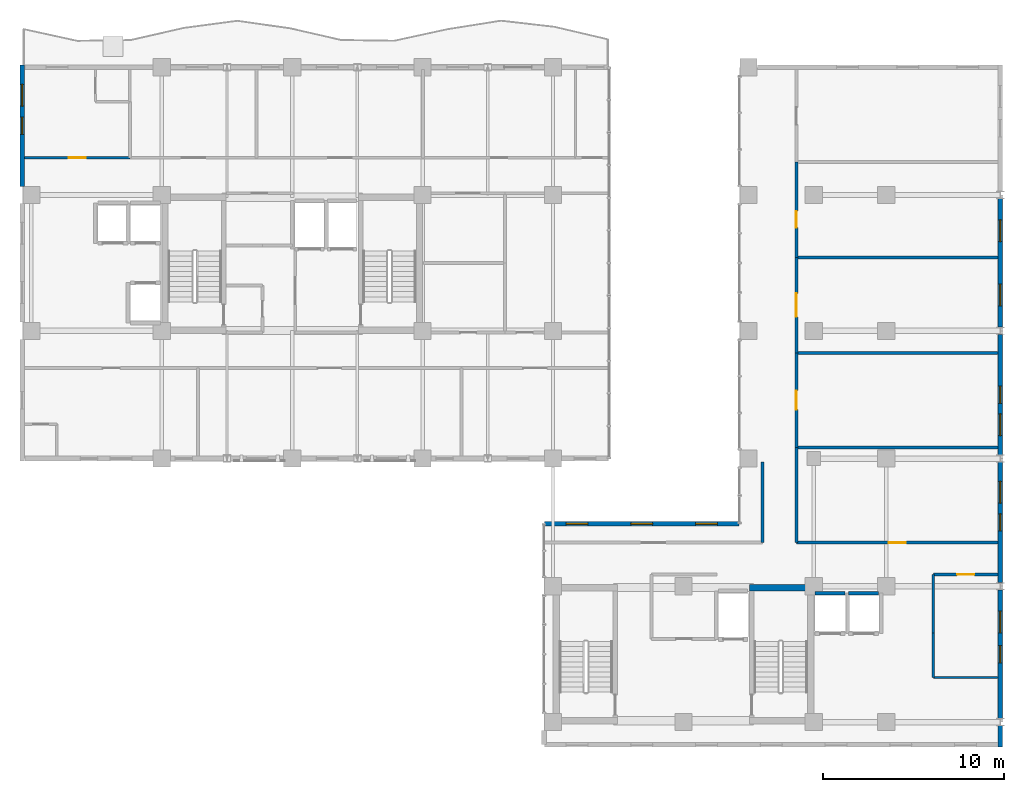
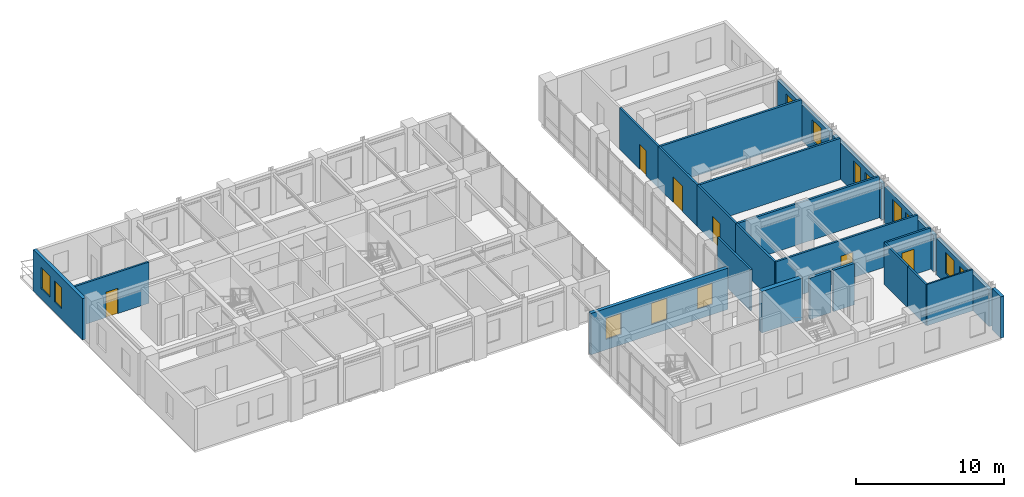
# One storey, part 19 of 24: 24 walls, 13 windows, 6 doors, 19 openings.
"""IFC4 building model written with IfcOpenShell, lengths in metres."""

from ifc_helpers import new_model, si_unit, direction, frame, frame_2d, origin, place, context, subcontext, project, spatial, rectangle, extrude, material, layer, layer_set, type_object, element, fill, save


model = new_model("IFC4")

# Units and contexts
model_context = context("Model", 3, precision=1e-05, world=origin(), true_north=direction((0.0, 1.0)))
body_context = subcontext(model_context, "Body", "Model", "MODEL_VIEW")
ifc_project = project(units=[si_unit("LENGTHUNIT", "METRE"), si_unit("AREAUNIT", "SQUARE_METRE"), si_unit("VOLUMEUNIT", "CUBIC_METRE"), si_unit("PLANEANGLEUNIT", "RADIAN"), si_unit("MASSUNIT", "GRAM", prefix="KILO")], contexts=[model_context])

# Site, building, storey
site_placement = place(None, origin())
site = spatial("IfcSite", under=ifc_project, at=site_placement, CompositionType="ELEMENT")
building_placement = place(site_placement, origin())
building = spatial("IfcBuilding", under=site, at=building_placement, Name="Kaliganga Portal Commons", CompositionType="ELEMENT")
storey_placement = place(building_placement, frame((0.0, 0.0, 235.10009765625)))
storey = spatial("IfcBuildingStorey", under=building, at=storey_placement, Name="L60", CompositionType="ELEMENT", Elevation=235.10009765625)

# Wall
ifc_material_1 = material(Name="Concrete C50/60", Category="concrete")
ifc_layer_1 = layer(ifc_material_1, 0.35009765625)
ifc_layer_set_1 = layer_set([ifc_layer_1], Name="Concrete C50/60")
wall_type_1 = type_object("IfcWallType", Name="WL-CORE-350", PredefinedType="SHEAR", material=ifc_layer_set_1)
wall_1_placement = place(storey_placement, frame((46.85009765625, 14.47509765625, 0.0), z_axis=(0.0, 0.0, 1.0), x_axis=(1.0, 0.0, 0.0)))
element("IfcWall", 1, at=wall_1_placement, inside=storey, type_object=wall_type_1, Name="Core B N-East Shear Wall L60", PredefinedType="SHEAR", context=body_context, shape_type="SweptSolid", body=[
    extrude(rectangle(XDim=3.199951171875, YDim=0.35009765625, at=frame_2d((1.60009765625, 0.0))), origin(), (0.0, 0.0, 1.0), 3.43994140625),
])

# Wall, openings, windows
ifc_material_2 = material(Name="Insulated Aluminium-Clad Spandrel Assembly", Category="aluminium")
ifc_layer_2 = layer(ifc_material_2, 0.260009765625)
ifc_layer_set_2 = layer_set([ifc_layer_2], Name="Insulated Aluminium-Clad Spandrel Assembly")
wall_type_2 = type_object("IfcWallType", Name="WL-EXT-SPAND-260", PredefinedType="STANDARD", material=ifc_layer_set_2)
wall_2_placement = place(storey_placement, frame((6.699951171875, 36.6259765625, 0.0), z_axis=(0.0, 0.0, 1.0), x_axis=(0.0, 1.0, 0.0)))
wall_2 = element("IfcWall", 2, at=wall_2_placement, inside=storey, type_object=wall_type_2, Name="Exterior Envelope Wall L60 P1-E03-S1", PredefinedType="STANDARD", context=body_context, shape_type="SweptSolid", body=[
    extrude(rectangle(XDim=6.7041015625, YDim=0.260009765625, at=frame_2d((3.35205078125, 0.0))), origin(), (0.0, 0.0, 1.0), 3.419921875),
])
opening_1_placement = place(wall_2_placement, frame((4.427978515625, 0.0, 0.85009765625)))
opening_1 = element("IfcOpeningElement", 3, at=opening_1_placement, cuts=wall_2, Name="Opening W-03", PredefinedType="OPENING", context=body_context, shape_type="SweptSolid", body=[
    extrude(rectangle(XDim=1.199951171875, YDim=1.75, at=frame_2d((0.60009765625, 0.875))), frame((0.0, 0.14013671875, 0.0), z_axis=(0.0, -1.0, 0.0), x_axis=(1.0, 0.0, 0.0)), (0.0, 0.0, 1.0), 0.280029296875),
])
opening_2_placement = place(wall_2_placement, frame((2.876953125, 0.0, 0.85009765625)))
opening_2 = element("IfcOpeningElement", 4, at=opening_2_placement, cuts=wall_2, Name="Opening W-04", PredefinedType="OPENING", context=body_context, shape_type="SweptSolid", body=[
    extrude(rectangle(XDim=0.949951171875, YDim=1.75, at=frame_2d((0.47509765625, 0.875))), frame((0.0, 0.14013671875, 0.0), z_axis=(0.0, -1.0, 0.0), x_axis=(1.0, 0.0, 0.0)), (0.0, 0.0, 1.0), 0.280029296875),
])
ifc_material_3 = material(Name="Thermally Broken Aluminium and Low-E Double Glazing", Category="aluminium")
window_type_1 = type_object("IfcWindowType", Name="WIN-NARROW-950", PartitioningType="SINGLE_PANEL", PredefinedType="WINDOW", material=ifc_material_3)
window_1_placement = place(opening_2_placement, origin())
window_1 = element("IfcWindow", 5, at=window_1_placement, inside=storey, type_object=window_type_1, Name="Facade Window L60-P1E03S1-N0", OverallHeight=1.75, OverallWidth=0.949951171875, PartitioningType="SINGLE_PANEL", PredefinedType="WINDOW", context=body_context, shape_type="SweptSolid", body=[
    extrude(rectangle(XDim=0.949951171875, YDim=1.75, at=frame_2d((0.47509765625, 0.875))), frame((0.0, 0.030029296875, 0.0), z_axis=(0.0, -1.0, 0.0), x_axis=(1.0, 0.0, 0.0)), (0.0, 0.0, 1.0), 0.06005859375),
])
fill(opening_2, window_1)
window_type_2 = type_object("IfcWindowType", Name="WIN-STD-1200", PartitioningType="SINGLE_PANEL", PredefinedType="WINDOW", material=ifc_material_3)
window_2_placement = place(opening_1_placement, origin())
window_2 = element("IfcWindow", 6, at=window_2_placement, inside=storey, type_object=window_type_2, Name="Facade Window L60-P1E03S1-01", OverallHeight=1.75, OverallWidth=1.199951171875, PartitioningType="SINGLE_PANEL", PredefinedType="WINDOW", context=body_context, shape_type="SweptSolid", body=[
    extrude(rectangle(XDim=1.199951171875, YDim=1.75, at=frame_2d((0.60009765625, 0.875))), frame((0.0, 0.030029296875, 0.0), z_axis=(0.0, -1.0, 0.0), x_axis=(1.0, 0.0, 0.0)), (0.0, 0.0, 1.0), 0.06005859375),
])
fill(opening_1, window_2)

# Wall
wall_3_placement = place(storey_placement, frame((60.699951171875, 6.84912109375, 0.0), z_axis=(0.0, 0.0, 1.0), x_axis=(0.0, -1.0, 0.0)))
element("IfcWall", 7, at=wall_3_placement, inside=storey, type_object=wall_type_2, Name="Exterior Envelope Wall L60 P2-E01-S1", PredefinedType="STANDARD", context=body_context, shape_type="SweptSolid", body=[
    extrude(rectangle(XDim=1.17919921875, YDim=0.260009765625, at=frame_2d((0.589599609375, 0.0))), origin(), (0.0, 0.0, 1.0), 3.419921875),
])

# Wall, openings, windows
wall_4_placement = place(storey_placement, frame((60.699951171875, 14.34912109375, 0.0), z_axis=(0.0, 0.0, 1.0), x_axis=(0.0, -1.0, 0.0)))
wall_4 = element("IfcWall", 8, at=wall_4_placement, inside=storey, type_object=wall_type_2, Name="Exterior Envelope Wall L60 P2-E01-S2", PredefinedType="STANDARD", context=body_context, shape_type="SweptSolid", body=[
    extrude(rectangle(XDim=7.09814453125, YDim=0.260009765625, at=frame_2d((3.549072265625, 0.0))), origin(), (0.0, 0.0, 1.0), 3.02001953125),
])
opening_3_placement = place(wall_4_placement, frame((1.174560546875, 0.0, 0.85009765625)))
opening_3 = element("IfcOpeningElement", 9, at=opening_3_placement, cuts=wall_4, Name="Opening W-03", PredefinedType="OPENING", context=body_context, shape_type="SweptSolid", body=[
    extrude(rectangle(XDim=1.199951171875, YDim=1.75, at=frame_2d((0.60009765625, 0.875))), frame((0.0, 0.14013671875, 0.0), z_axis=(0.0, -1.0, 0.0), x_axis=(1.0, 0.0, 0.0)), (0.0, 0.0, 1.0), 0.280029296875),
])
opening_4_placement = place(wall_4_placement, frame((3.073974609375, 0.0, 0.85009765625)))
opening_4 = element("IfcOpeningElement", 10, at=opening_4_placement, cuts=wall_4, Name="Opening W-04", PredefinedType="OPENING", context=body_context, shape_type="SweptSolid", body=[
    extrude(rectangle(XDim=0.949951171875, YDim=1.75, at=frame_2d((0.47509765625, 0.875))), frame((0.0, 0.14013671875, 0.0), z_axis=(0.0, -1.0, 0.0), x_axis=(1.0, 0.0, 0.0)), (0.0, 0.0, 1.0), 0.280029296875),
])
window_3_placement = place(opening_4_placement, origin())
window_3 = element("IfcWindow", 11, at=window_3_placement, inside=storey, type_object=window_type_1, Name="Facade Window L60-P2E01S2-N0", OverallHeight=1.75, OverallWidth=0.949951171875, PartitioningType="SINGLE_PANEL", PredefinedType="WINDOW", context=body_context, shape_type="SweptSolid", body=[
    extrude(rectangle(XDim=0.949951171875, YDim=1.75, at=frame_2d((0.47509765625, 0.875))), frame((0.0, 0.030029296875, 0.0), z_axis=(0.0, -1.0, 0.0), x_axis=(1.0, 0.0, 0.0)), (0.0, 0.0, 1.0), 0.06005859375),
])
fill(opening_4, window_3)
window_4_placement = place(opening_3_placement, origin())
window_4 = element("IfcWindow", 12, at=window_4_placement, inside=storey, type_object=window_type_2, Name="Facade Window L60-P2E01S2-00", OverallHeight=1.75, OverallWidth=1.199951171875, PartitioningType="SINGLE_PANEL", PredefinedType="WINDOW", context=body_context, shape_type="SweptSolid", body=[
    extrude(rectangle(XDim=1.199951171875, YDim=1.75, at=frame_2d((0.60009765625, 0.875))), frame((0.0, 0.030029296875, 0.0), z_axis=(0.0, -1.0, 0.0), x_axis=(1.0, 0.0, 0.0)), (0.0, 0.0, 1.0), 0.06005859375),
])
fill(opening_3, window_4)

wall_5_placement = place(storey_placement, frame((60.699951171875, 21.39892578125, 0.0), z_axis=(0.0, 0.0, 1.0), x_axis=(0.0, -1.0, 0.0)))
wall_5 = element("IfcWall", 13, at=wall_5_placement, inside=storey, type_object=wall_type_2, Name="Exterior Envelope Wall L60 P2-E01-S3", PredefinedType="STANDARD", context=body_context, shape_type="SweptSolid", body=[
    extrude(rectangle(XDim=6.64794921875, YDim=0.260009765625, at=frame_2d((3.323974609375, 0.0))), origin(), (0.0, 0.0, 1.0), 3.02001953125),
])
opening_5_placement = place(wall_5_placement, frame((1.06201171875, 0.0, 0.85009765625)))
opening_5 = element("IfcOpeningElement", 14, at=opening_5_placement, cuts=wall_5, Name="Opening W-03", PredefinedType="OPENING", context=body_context, shape_type="SweptSolid", body=[
    extrude(rectangle(XDim=1.199951171875, YDim=1.75, at=frame_2d((0.60009765625, 0.875))), frame((0.0, 0.14013671875, 0.0), z_axis=(0.0, -1.0, 0.0), x_axis=(1.0, 0.0, 0.0)), (0.0, 0.0, 1.0), 0.280029296875),
])
opening_6_placement = place(wall_5_placement, frame((2.84912109375, 0.0, 0.85009765625)))
opening_6 = element("IfcOpeningElement", 15, at=opening_6_placement, cuts=wall_5, Name="Opening W-04", PredefinedType="OPENING", context=body_context, shape_type="SweptSolid", body=[
    extrude(rectangle(XDim=0.949951171875, YDim=1.75, at=frame_2d((0.47509765625, 0.875))), frame((0.0, 0.14013671875, 0.0), z_axis=(0.0, -1.0, 0.0), x_axis=(1.0, 0.0, 0.0)), (0.0, 0.0, 1.0), 0.280029296875),
])
window_5_placement = place(opening_6_placement, origin())
window_5 = element("IfcWindow", 16, at=window_5_placement, inside=storey, type_object=window_type_1, Name="Facade Window L60-P2E01S3-N0", OverallHeight=1.75, OverallWidth=0.949951171875, PartitioningType="SINGLE_PANEL", PredefinedType="WINDOW", context=body_context, shape_type="SweptSolid", body=[
    extrude(rectangle(XDim=0.949951171875, YDim=1.75, at=frame_2d((0.47509765625, 0.875))), frame((0.0, 0.030029296875, 0.0), z_axis=(0.0, -1.0, 0.0), x_axis=(1.0, 0.0, 0.0)), (0.0, 0.0, 1.0), 0.06005859375),
])
fill(opening_6, window_5)
window_6_placement = place(opening_5_placement, origin())
window_6 = element("IfcWindow", 17, at=window_6_placement, inside=storey, type_object=window_type_2, Name="Facade Window L60-P2E01S3-00", OverallHeight=1.75, OverallWidth=1.199951171875, PartitioningType="SINGLE_PANEL", PredefinedType="WINDOW", context=body_context, shape_type="SweptSolid", body=[
    extrude(rectangle(XDim=1.199951171875, YDim=1.75, at=frame_2d((0.60009765625, 0.875))), frame((0.0, 0.030029296875, 0.0), z_axis=(0.0, -1.0, 0.0), x_axis=(1.0, 0.0, 0.0)), (0.0, 0.0, 1.0), 0.06005859375),
])
fill(opening_5, window_6)

wall_6_placement = place(storey_placement, frame((60.699951171875, 28.448974609375, 0.0), z_axis=(0.0, 0.0, 1.0), x_axis=(0.0, -1.0, 0.0)))
wall_6 = element("IfcWall", 18, at=wall_6_placement, inside=storey, type_object=wall_type_2, Name="Exterior Envelope Wall L60 P2-E01-S4", PredefinedType="STANDARD", context=body_context, shape_type="SweptSolid", body=[
    extrude(rectangle(XDim=6.64794921875, YDim=0.260009765625, at=frame_2d((3.323974609375, 0.0))), origin(), (0.0, 0.0, 1.0), 3.02001953125),
])
opening_7_placement = place(wall_6_placement, frame((4.385986328125, 0.0, 0.85009765625)))
opening_7 = element("IfcOpeningElement", 19, at=opening_7_placement, cuts=wall_6, Name="Opening W-03", PredefinedType="OPENING", context=body_context, shape_type="SweptSolid", body=[
    extrude(rectangle(XDim=1.199951171875, YDim=1.75, at=frame_2d((0.60009765625, 0.875))), frame((0.0, 0.14013671875, 0.0), z_axis=(0.0, -1.0, 0.0), x_axis=(1.0, 0.0, 0.0)), (0.0, 0.0, 1.0), 0.280029296875),
])
opening_8_placement = place(wall_6_placement, frame((2.84912109375, 0.0, 0.85009765625)))
opening_8 = element("IfcOpeningElement", 20, at=opening_8_placement, cuts=wall_6, Name="Opening W-04", PredefinedType="OPENING", context=body_context, shape_type="SweptSolid", body=[
    extrude(rectangle(XDim=0.949951171875, YDim=1.75, at=frame_2d((0.47509765625, 0.875))), frame((0.0, 0.14013671875, 0.0), z_axis=(0.0, -1.0, 0.0), x_axis=(1.0, 0.0, 0.0)), (0.0, 0.0, 1.0), 0.280029296875),
])
window_7_placement = place(opening_8_placement, origin())
window_7 = element("IfcWindow", 21, at=window_7_placement, inside=storey, type_object=window_type_1, Name="Facade Window L60-P2E01S4-N0", OverallHeight=1.75, OverallWidth=0.949951171875, PartitioningType="SINGLE_PANEL", PredefinedType="WINDOW", context=body_context, shape_type="SweptSolid", body=[
    extrude(rectangle(XDim=0.949951171875, YDim=1.75, at=frame_2d((0.47509765625, 0.875))), frame((0.0, 0.030029296875, 0.0), z_axis=(0.0, -1.0, 0.0), x_axis=(1.0, 0.0, 0.0)), (0.0, 0.0, 1.0), 0.06005859375),
])
fill(opening_8, window_7)
window_8_placement = place(opening_7_placement, origin())
window_8 = element("IfcWindow", 22, at=window_8_placement, inside=storey, type_object=window_type_2, Name="Facade Window L60-P2E01S4-01", OverallHeight=1.75, OverallWidth=1.199951171875, PartitioningType="SINGLE_PANEL", PredefinedType="WINDOW", context=body_context, shape_type="SweptSolid", body=[
    extrude(rectangle(XDim=1.199951171875, YDim=1.75, at=frame_2d((0.60009765625, 0.875))), frame((0.0, 0.030029296875, 0.0), z_axis=(0.0, -1.0, 0.0), x_axis=(1.0, 0.0, 0.0)), (0.0, 0.0, 1.0), 0.06005859375),
])
fill(opening_7, window_8)

wall_7_placement = place(storey_placement, frame((60.699951171875, 35.948974609375, 0.0), z_axis=(0.0, 0.0, 1.0), x_axis=(0.0, -1.0, 0.0)))
wall_7 = element("IfcWall", 23, at=wall_7_placement, inside=storey, type_object=wall_type_2, Name="Exterior Envelope Wall L60 P2-E01-S5", PredefinedType="STANDARD", context=body_context, shape_type="SweptSolid", body=[
    extrude(rectangle(XDim=7.097900390625, YDim=0.260009765625, at=frame_2d((3.548828125, 0.0))), origin(), (0.0, 0.0, 1.0), 3.02001953125),
])
opening_9_placement = place(wall_7_placement, frame((1.174560546875, 0.0, 0.85009765625)))
opening_9 = element("IfcOpeningElement", 24, at=opening_9_placement, cuts=wall_7, Name="Opening W-03", PredefinedType="OPENING", context=body_context, shape_type="SweptSolid", body=[
    extrude(rectangle(XDim=1.199951171875, YDim=1.75, at=frame_2d((0.60009765625, 0.875))), frame((0.0, 0.14013671875, 0.0), z_axis=(0.0, -1.0, 0.0), x_axis=(1.0, 0.0, 0.0)), (0.0, 0.0, 1.0), 0.280029296875),
])
opening_10_placement = place(wall_7_placement, frame((4.723388671875, 0.0, 0.85009765625)))
opening_10 = element("IfcOpeningElement", 25, at=opening_10_placement, cuts=wall_7, Name="Opening W-03", PredefinedType="OPENING", context=body_context, shape_type="SweptSolid", body=[
    extrude(rectangle(XDim=1.199951171875, YDim=1.75, at=frame_2d((0.60009765625, 0.875))), frame((0.0, 0.14013671875, 0.0), z_axis=(0.0, -1.0, 0.0), x_axis=(1.0, 0.0, 0.0)), (0.0, 0.0, 1.0), 0.280029296875),
])
window_9_placement = place(opening_9_placement, origin())
window_9 = element("IfcWindow", 26, at=window_9_placement, inside=storey, type_object=window_type_2, Name="Facade Window L60-P2E01S5-00", OverallHeight=1.75, OverallWidth=1.199951171875, PartitioningType="SINGLE_PANEL", PredefinedType="WINDOW", context=body_context, shape_type="SweptSolid", body=[
    extrude(rectangle(XDim=1.199951171875, YDim=1.75, at=frame_2d((0.60009765625, 0.875))), frame((0.0, 0.030029296875, 0.0), z_axis=(0.0, -1.0, 0.0), x_axis=(1.0, 0.0, 0.0)), (0.0, 0.0, 1.0), 0.06005859375),
])
fill(opening_9, window_9)
window_10_placement = place(opening_10_placement, origin())
window_10 = element("IfcWindow", 27, at=window_10_placement, inside=storey, type_object=window_type_2, Name="Facade Window L60-P2E01S5-01", OverallHeight=1.75, OverallWidth=1.199951171875, PartitioningType="SINGLE_PANEL", PredefinedType="WINDOW", context=body_context, shape_type="SweptSolid", body=[
    extrude(rectangle(XDim=1.199951171875, YDim=1.75, at=frame_2d((0.60009765625, 0.875))), frame((0.0, 0.030029296875, 0.0), z_axis=(0.0, -1.0, 0.0), x_axis=(1.0, 0.0, 0.0)), (0.0, 0.0, 1.0), 0.06005859375),
])
fill(opening_10, window_10)

wall_8_placement = place(storey_placement, frame((35.537109375, 18.0, 0.0), z_axis=(0.0, 0.0, 1.0), x_axis=(1.0, 0.0, 0.0)))
wall_8 = element("IfcWall", 28, at=wall_8_placement, inside=storey, type_object=wall_type_2, Name="Exterior Envelope Wall L60 P2-E04-S1", PredefinedType="STANDARD", context=body_context, shape_type="SweptSolid", body=[
    extrude(rectangle(XDim=10.725830078125, YDim=0.260009765625, at=frame_2d((5.36279296875, 0.0))), origin(), (0.0, 0.0, 1.0), 3.419921875),
])
opening_11_placement = place(wall_8_placement, frame((1.187744140625, 0.0, 0.85009765625)))
opening_11 = element("IfcOpeningElement", 29, at=opening_11_placement, cuts=wall_8, Name="Opening W-03", PredefinedType="OPENING", context=body_context, shape_type="SweptSolid", body=[
    extrude(rectangle(XDim=1.199951171875, YDim=1.75, at=frame_2d((0.60009765625, 0.875))), frame((0.0, 0.14013671875, 0.0), z_axis=(0.0, -1.0, 0.0), x_axis=(1.0, 0.0, 0.0)), (0.0, 0.0, 1.0), 0.280029296875),
])
opening_12_placement = place(wall_8_placement, frame((4.762939453125, 0.0, 0.85009765625)))
opening_12 = element("IfcOpeningElement", 30, at=opening_12_placement, cuts=wall_8, Name="Opening W-03", PredefinedType="OPENING", context=body_context, shape_type="SweptSolid", body=[
    extrude(rectangle(XDim=1.199951171875, YDim=1.75, at=frame_2d((0.60009765625, 0.875))), frame((0.0, 0.14013671875, 0.0), z_axis=(0.0, -1.0, 0.0), x_axis=(1.0, 0.0, 0.0)), (0.0, 0.0, 1.0), 0.280029296875),
])
opening_13_placement = place(wall_8_placement, frame((8.33837890625, 0.0, 0.85009765625)))
opening_13 = element("IfcOpeningElement", 31, at=opening_13_placement, cuts=wall_8, Name="Opening W-03", PredefinedType="OPENING", context=body_context, shape_type="SweptSolid", body=[
    extrude(rectangle(XDim=1.199951171875, YDim=1.75, at=frame_2d((0.60009765625, 0.875))), frame((0.0, 0.14013671875, 0.0), z_axis=(0.0, -1.0, 0.0), x_axis=(1.0, 0.0, 0.0)), (0.0, 0.0, 1.0), 0.280029296875),
])
window_11_placement = place(opening_11_placement, origin())
window_11 = element("IfcWindow", 32, at=window_11_placement, inside=storey, type_object=window_type_2, Name="Facade Window L60-P2E04S1-00", OverallHeight=1.75, OverallWidth=1.199951171875, PartitioningType="SINGLE_PANEL", PredefinedType="WINDOW", context=body_context, shape_type="SweptSolid", body=[
    extrude(rectangle(XDim=1.199951171875, YDim=1.75, at=frame_2d((0.60009765625, 0.875))), frame((0.0, 0.030029296875, 0.0), z_axis=(0.0, -1.0, 0.0), x_axis=(1.0, 0.0, 0.0)), (0.0, 0.0, 1.0), 0.06005859375),
])
fill(opening_11, window_11)
window_12_placement = place(opening_12_placement, origin())
window_12 = element("IfcWindow", 33, at=window_12_placement, inside=storey, type_object=window_type_2, Name="Facade Window L60-P2E04S1-01", OverallHeight=1.75, OverallWidth=1.199951171875, PartitioningType="SINGLE_PANEL", PredefinedType="WINDOW", context=body_context, shape_type="SweptSolid", body=[
    extrude(rectangle(XDim=1.199951171875, YDim=1.75, at=frame_2d((0.60009765625, 0.875))), frame((0.0, 0.030029296875, 0.0), z_axis=(0.0, -1.0, 0.0), x_axis=(1.0, 0.0, 0.0)), (0.0, 0.0, 1.0), 0.06005859375),
])
fill(opening_12, window_12)
window_13_placement = place(opening_13_placement, origin())
window_13 = element("IfcWindow", 34, at=window_13_placement, inside=storey, type_object=window_type_2, Name="Facade Window L60-P2E04S1-02", OverallHeight=1.75, OverallWidth=1.199951171875, PartitioningType="SINGLE_PANEL", PredefinedType="WINDOW", context=body_context, shape_type="SweptSolid", body=[
    extrude(rectangle(XDim=1.199951171875, YDim=1.75, at=frame_2d((0.60009765625, 0.875))), frame((0.0, 0.030029296875, 0.0), z_axis=(0.0, -1.0, 0.0), x_axis=(1.0, 0.0, 0.0)), (0.0, 0.0, 1.0), 0.06005859375),
])
fill(opening_13, window_13)

# Wall, opening, door
ifc_material_4 = material(Name="Fire-Rated Gypsum Board on Steel Stud", Category="steel")
ifc_layer_3 = layer(ifc_material_4, 0.14990234375)
ifc_layer_set_3 = layer_set([ifc_layer_3], Name="Fire-Rated Gypsum Board on Steel Stud")
wall_type_3 = type_object("IfcWallType", Name="WL-PART-CORR-150", PredefinedType="PARTITIONING", material=ifc_layer_set_3)
wall_9_placement = place(storey_placement, frame((49.43994140625, 16.9599609375, 0.0), z_axis=(0.0, 0.0, 1.0), x_axis=(1.0, 0.0, 0.0)))
wall_9 = element("IfcWall", 35, at=wall_9_placement, inside=storey, type_object=wall_type_3, Name="Interior Partition L60-008", PredefinedType="PARTITIONING", context=body_context, shape_type="SweptSolid", body=[
    extrude(rectangle(XDim=11.128173828125, YDim=0.14990234375, at=frame_2d((5.56396484375, 0.0))), origin(), (0.0, 0.0, 1.0), 3.419921875),
])
opening_14_placement = place(wall_9_placement, frame((5.089111328125, 0.0, 0.0)))
opening_14 = element("IfcOpeningElement", 36, at=opening_14_placement, cuts=wall_9, Name="Opening UD-01", PredefinedType="OPENING", context=body_context, shape_type="SweptSolid", body=[
    extrude(rectangle(XDim=0.949951171875, YDim=2.10009765625, at=frame_2d((0.47509765625, 1.050048828125))), frame((0.0, 0.0849609375, 0.0), z_axis=(0.0, -1.0, 0.0), x_axis=(1.0, 0.0, 0.0)), (0.0, 0.0, 1.0), 0.169921875),
])
ifc_material_5 = material(Name="Solid-Core Timber Acoustic Fire Door", Category="wood")
door_type_1 = type_object("IfcDoorType", Name="DR-UNIT-950", OperationType="NOTDEFINED", PredefinedType="DOOR", material=ifc_material_5)
door_1_placement = place(opening_14_placement, origin())
door_1 = element("IfcDoor", 37, at=door_1_placement, inside=storey, type_object=door_type_1, Name="Interior Door L60-BP01", OperationType="SINGLE_SWING_LEFT", OverallHeight=2.10009765625, OverallWidth=0.949951171875, PredefinedType="DOOR", context=body_context, shape_type="SweptSolid", body=[
    extrude(rectangle(XDim=0.949951171875, YDim=2.10009765625, at=frame_2d((0.47509765625, 1.050048828125))), frame((0.0, 0.02490234375, 0.0), z_axis=(0.0, -1.0, 0.0), x_axis=(1.0, 0.0, 0.0)), (0.0, 0.0, 1.0), 0.050048828125),
])
fill(opening_14, door_1)

wall_10_placement = place(storey_placement, frame((6.83203125, 38.199951171875, 0.0), z_axis=(0.0, 0.0, 1.0), x_axis=(1.0, 0.0, 0.0)))
wall_10 = element("IfcWall", 38, at=wall_10_placement, inside=storey, type_object=wall_type_3, Name="Interior Partition L60-014", PredefinedType="PARTITIONING", context=body_context, shape_type="SweptSolid", body=[
    extrude(rectangle(XDim=5.807861328125, YDim=0.14990234375, at=frame_2d((2.90380859375, 0.0))), origin(), (0.0, 0.0, 1.0), 3.419921875),
])
opening_15_placement = place(wall_10_placement, frame((2.428955078125, 0.0, 0.0)))
opening_15 = element("IfcOpeningElement", 39, at=opening_15_placement, cuts=wall_10, Name="Opening UD-01", PredefinedType="OPENING", context=body_context, shape_type="SweptSolid", body=[
    extrude(rectangle(XDim=0.949951171875, YDim=2.10009765625, at=frame_2d((0.47509765625, 1.050048828125))), frame((0.0, 0.0849609375, 0.0), z_axis=(0.0, -1.0, 0.0), x_axis=(1.0, 0.0, 0.0)), (0.0, 0.0, 1.0), 0.169921875),
])
door_2_placement = place(opening_15_placement, origin())
door_2 = element("IfcDoor", 40, at=door_2_placement, inside=storey, type_object=door_type_1, Name="Interior Door L60-AN01", OperationType="SINGLE_SWING_LEFT", OverallHeight=2.10009765625, OverallWidth=0.949951171875, PredefinedType="DOOR", context=body_context, shape_type="SweptSolid", body=[
    extrude(rectangle(XDim=0.949951171875, YDim=2.10009765625, at=frame_2d((0.47509765625, 1.050048828125))), frame((0.0, 0.02490234375, 0.0), z_axis=(0.0, -1.0, 0.0), x_axis=(1.0, 0.0, 0.0)), (0.0, 0.0, 1.0), 0.050048828125),
])
fill(opening_15, door_2)

wall_11_placement = place(storey_placement, frame((49.43994140625, 27.43994140625, 0.0), z_axis=(0.0, 0.0, 1.0), x_axis=(0.0, 1.0, 0.0)))
wall_11 = element("IfcWall", 41, at=wall_11_placement, inside=storey, type_object=wall_type_3, Name="Interior Partition L60-019", PredefinedType="PARTITIONING", context=body_context, shape_type="SweptSolid", body=[
    extrude(rectangle(XDim=5.260009765625, YDim=0.14990234375, at=frame_2d((2.6298828125, 0.0))), origin(), (0.0, 0.0, 1.0), 3.419921875),
])
opening_16_placement = place(wall_11_placement, frame((1.97998046875, 0.0, 0.0)))
opening_16 = element("IfcOpeningElement", 42, at=opening_16_placement, cuts=wall_11, Name="Opening RD-03", PredefinedType="OPENING", context=body_context, shape_type="SweptSolid", body=[
    extrude(rectangle(XDim=1.300048828125, YDim=2.1201171875, at=frame_2d((0.64990234375, 1.06005859375))), frame((0.0, 0.0849609375, 0.0), z_axis=(0.0, -1.0, 0.0), x_axis=(1.0, 0.0, 0.0)), (0.0, 0.0, 1.0), 0.169921875),
])
ifc_material_6 = material(Name="Glazed Timber Seminar Vision Door", Category="wood")
door_type_2 = type_object("IfcDoorType", Name="DR-STUDY-1300", OperationType="DOUBLE_DOOR_SINGLE_SWING", PredefinedType="DOOR", material=ifc_material_6)
door_3_placement = place(opening_16_placement, origin())
door_3 = element("IfcDoor", 43, at=door_3_placement, inside=storey, type_object=door_type_2, Name="Interior Door L60-BP03", OperationType="DOUBLE_DOOR_SINGLE_SWING", OverallHeight=2.1201171875, OverallWidth=1.300048828125, PredefinedType="DOOR", context=body_context, shape_type="SweptSolid", body=[
    extrude(rectangle(XDim=1.300048828125, YDim=2.1201171875, at=frame_2d((0.64990234375, 1.06005859375))), frame((0.0, 0.02490234375, 0.0), z_axis=(0.0, -1.0, 0.0), x_axis=(1.0, 0.0, 0.0)), (0.0, 0.0, 1.0), 0.050048828125),
])
fill(opening_16, door_3)

wall_12_placement = place(storey_placement, frame((49.43994140625, 32.699951171875, 0.0), z_axis=(0.0, 0.0, 1.0), x_axis=(0.0, 1.0, 0.0)))
wall_12 = element("IfcWall", 44, at=wall_12_placement, inside=storey, type_object=wall_type_3, Name="Interior Partition L60-020", PredefinedType="PARTITIONING", context=body_context, shape_type="SweptSolid", body=[
    extrude(rectangle(XDim=5.260009765625, YDim=0.14990234375, at=frame_2d((2.6298828125, 0.0))), origin(), (0.0, 0.0, 1.0), 3.419921875),
])
opening_17_placement = place(wall_12_placement, frame((1.654052734375, 0.0, 0.0)))
opening_17 = element("IfcOpeningElement", 45, at=opening_17_placement, cuts=wall_12, Name="Opening RD-01", PredefinedType="OPENING", context=body_context, shape_type="SweptSolid", body=[
    extrude(rectangle(XDim=0.89990234375, YDim=2.080078125, at=frame_2d((0.449951171875, 1.0400390625))), frame((0.0, 0.0849609375, 0.0), z_axis=(0.0, -1.0, 0.0), x_axis=(1.0, 0.0, 0.0)), (0.0, 0.0, 1.0), 0.169921875),
])
ifc_material_7 = material(Name="Engineered Timber Flush Door", Category="wood")
door_type_3 = type_object("IfcDoorType", Name="DR-ROOM-900", OperationType="NOTDEFINED", PredefinedType="DOOR", material=ifc_material_7)
door_4_placement = place(opening_17_placement, origin())
door_4 = element("IfcDoor", 46, at=door_4_placement, inside=storey, type_object=door_type_3, Name="Interior Door L60-BP04", OperationType="SINGLE_SWING_RIGHT", OverallHeight=2.080078125, OverallWidth=0.89990234375, PredefinedType="DOOR", context=body_context, shape_type="SweptSolid", body=[
    extrude(rectangle(XDim=0.89990234375, YDim=2.080078125, at=frame_2d((0.449951171875, 1.0400390625))), frame((0.0, 0.02490234375, 0.0), z_axis=(0.0, -1.0, 0.0), x_axis=(1.0, 0.0, 0.0)), (0.0, 0.0, 1.0), 0.050048828125),
])
fill(opening_17, door_4)

wall_13_placement = place(storey_placement, frame((49.43994140625, 22.199951171875, 0.0), z_axis=(0.0, 0.0, 1.0), x_axis=(0.0, 1.0, 0.0)))
wall_13 = element("IfcWall", 47, at=wall_13_placement, inside=storey, type_object=wall_type_3, Name="Interior Partition L60-021", PredefinedType="PARTITIONING", context=body_context, shape_type="SweptSolid", body=[
    extrude(rectangle(XDim=5.239990234375, YDim=0.14990234375, at=frame_2d((2.6201171875, 0.0))), origin(), (0.0, 0.0, 1.0), 3.419921875),
])
opening_18_placement = place(wall_13_placement, frame((2.094970703125, 0.0, 0.0)))
opening_18 = element("IfcOpeningElement", 48, at=opening_18_placement, cuts=wall_13, Name="Opening UD-02", PredefinedType="OPENING", context=body_context, shape_type="SweptSolid", body=[
    extrude(rectangle(XDim=1.050048828125, YDim=2.1201171875, at=frame_2d((0.52490234375, 1.06005859375))), frame((0.0, 0.0849609375, 0.0), z_axis=(0.0, -1.0, 0.0), x_axis=(1.0, 0.0, 0.0)), (0.0, 0.0, 1.0), 0.169921875),
])
ifc_material_8 = material(Name="Accessible Wide-Leaf Acoustic Fire Door", Category="wood")
door_type_4 = type_object("IfcDoorType", Name="DR-ACC-1050", OperationType="NOTDEFINED", PredefinedType="DOOR", material=ifc_material_8)
door_5_placement = place(opening_18_placement, origin())
door_5 = element("IfcDoor", 49, at=door_5_placement, inside=storey, type_object=door_type_4, Name="Interior Door L60-BP02", OperationType="SINGLE_SWING_LEFT", OverallHeight=2.1201171875, OverallWidth=1.050048828125, PredefinedType="DOOR", context=body_context, shape_type="SweptSolid", body=[
    extrude(rectangle(XDim=1.050048828125, YDim=2.1201171875, at=frame_2d((0.52490234375, 1.06005859375))), frame((0.0, 0.02490234375, 0.0), z_axis=(0.0, -1.0, 0.0), x_axis=(1.0, 0.0, 0.0)), (0.0, 0.0, 1.0), 0.050048828125),
])
fill(opening_18, door_5)

# Walls
wall_14_placement = place(storey_placement, frame((49.43994140625, 16.9599609375, 0.0), z_axis=(0.0, 0.0, 1.0), x_axis=(0.0, 1.0, 0.0)))
element("IfcWall", 50, at=wall_14_placement, inside=storey, type_object=wall_type_3, Name="Interior Partition L60-023", PredefinedType="PARTITIONING", context=body_context, shape_type="SweptSolid", body=[
    extrude(rectangle(XDim=5.239990234375, YDim=0.14990234375, at=frame_2d((2.6201171875, 0.0))), origin(), (0.0, 0.0, 1.0), 3.419921875),
])
wall_15_placement = place(storey_placement, frame((47.56005859375, 16.9599609375, 0.0), z_axis=(0.0, 0.0, 1.0), x_axis=(0.0, 1.0, 0.0)))
element("IfcWall", 51, at=wall_15_placement, inside=storey, type_object=wall_type_3, Name="Interior Partition L60-026", PredefinedType="PARTITIONING", context=body_context, shape_type="SweptSolid", body=[
    extrude(rectangle(XDim=4.43994140625, YDim=0.14990234375, at=frame_2d((2.219970703125, 0.0))), origin(), (0.0, 0.0, 1.0), 3.419921875),
])

# Wall, opening, door
wall_16_placement = place(storey_placement, frame((57.0, 15.199951171875, 0.0), z_axis=(0.0, 0.0, 1.0), x_axis=(1.0, 0.0, 0.0)))
wall_16 = element("IfcWall", 52, at=wall_16_placement, inside=storey, type_object=wall_type_3, Name="Interior Partition L60-027", PredefinedType="PARTITIONING", context=body_context, shape_type="SweptSolid", body=[
    extrude(rectangle(XDim=3.568115234375, YDim=0.14990234375, at=frame_2d((1.7841796875, 0.0))), origin(), (0.0, 0.0, 1.0), 3.419921875),
])
opening_19_placement = place(wall_16_placement, frame((1.30908203125, 0.0, 0.0)))
opening_19 = element("IfcOpeningElement", 53, at=opening_19_placement, cuts=wall_16, Name="Opening UD-01", PredefinedType="OPENING", context=body_context, shape_type="SweptSolid", body=[
    extrude(rectangle(XDim=0.949951171875, YDim=2.10009765625, at=frame_2d((0.47509765625, 1.050048828125))), frame((0.0, 0.0849609375, 0.0), z_axis=(0.0, -1.0, 0.0), x_axis=(1.0, 0.0, 0.0)), (0.0, 0.0, 1.0), 0.169921875),
])
door_6_placement = place(opening_19_placement, origin())
door_6 = element("IfcDoor", 54, at=door_6_placement, inside=storey, type_object=door_type_1, Name="Interior Door L60-BPE01", OperationType="SINGLE_SWING_LEFT", OverallHeight=2.10009765625, OverallWidth=0.949951171875, PredefinedType="DOOR", context=body_context, shape_type="SweptSolid", body=[
    extrude(rectangle(XDim=0.949951171875, YDim=2.10009765625, at=frame_2d((0.47509765625, 1.050048828125))), frame((0.0, 0.02490234375, 0.0), z_axis=(0.0, -1.0, 0.0), x_axis=(1.0, 0.0, 0.0)), (0.0, 0.0, 1.0), 0.050048828125),
])
fill(opening_19, door_6)

# Walls
wall_17_placement = place(storey_placement, frame((57.0, 11.9599609375, 0.0), z_axis=(0.0, 0.0, 1.0), x_axis=(0.0, 1.0, 0.0)))
element("IfcWall", 55, at=wall_17_placement, inside=storey, type_object=wall_type_3, Name="Interior Partition L60-032", PredefinedType="PARTITIONING", context=body_context, shape_type="SweptSolid", body=[
    extrude(rectangle(XDim=3.239990234375, YDim=0.14990234375, at=frame_2d((1.6201171875, 0.0))), origin(), (0.0, 0.0, 1.0), 3.419921875),
])
wall_18_placement = place(storey_placement, frame((57.0, 9.5, 0.0), z_axis=(0.0, 0.0, 1.0), x_axis=(0.0, 1.0, 0.0)))
element("IfcWall", 56, at=wall_18_placement, inside=storey, type_object=wall_type_3, Name="Interior Partition L60-034", PredefinedType="PARTITIONING", context=body_context, shape_type="SweptSolid", body=[
    extrude(rectangle(XDim=2.4599609375, YDim=0.14990234375, at=frame_2d((1.22998046875, 0.0))), origin(), (0.0, 0.0, 1.0), 3.419921875),
])
ifc_material_9 = material(Name="Moisture-Resistant Gypsum Partition", Category="gypsum")
ifc_layer_4 = layer(ifc_material_9, 0.114990234375)
ifc_layer_set_4 = layer_set([ifc_layer_4], Name="Moisture-Resistant Gypsum Partition")
wall_type_4 = type_object("IfcWallType", Name="WL-PART-ROOM-115", PredefinedType="PARTITIONING", material=ifc_layer_set_4)
wall_19_placement = place(storey_placement, frame((57.0, 9.5, 0.0), z_axis=(0.0, 0.0, 1.0), x_axis=(1.0, 0.0, 0.0)))
element("IfcWall", 57, at=wall_19_placement, inside=storey, type_object=wall_type_4, Name="Interior Partition L60-053", PredefinedType="PARTITIONING", context=body_context, shape_type="SweptSolid", body=[
    extrude(rectangle(XDim=3.568115234375, YDim=0.114990234375, at=frame_2d((1.7841796875, 0.0))), origin(), (0.0, 0.0, 1.0), 3.419921875),
])
ifc_material_10 = material(Name="Twin-Stud Acoustic Gypsum Partition", Category="gypsum")
ifc_layer_5 = layer(ifc_material_10, 0.1650390625)
ifc_layer_set_5 = layer_set([ifc_layer_5], Name="Twin-Stud Acoustic Gypsum Partition")
wall_type_5 = type_object("IfcWallType", Name="WL-PART-UNIT-165", PredefinedType="PARTITIONING", material=ifc_layer_set_5)
for number, where, z_axis, x_axis, name in (
    (58, (49.43994140625, 22.199951171875, 0.0), (0.0, 0.0, 1.0), (1.0, 0.0, 0.0), "Interior Partition L60-040"),
    (59, (49.43994140625, 27.43994140625, 0.0), (0.0, 0.0, 1.0), (1.0, 0.0, 0.0), "Interior Partition L60-041"),
    (60, (49.43994140625, 32.699951171875, 0.0), (0.0, 0.0, 1.0), (1.0, 0.0, 0.0), "Interior Partition L60-042"),
):
    element("IfcWall", number, at=place(storey_placement, frame(where, z_axis=z_axis, x_axis=x_axis)), inside=storey, type_object=wall_type_5, Name=name, PredefinedType="PARTITIONING", context=body_context, shape_type="SweptSolid", body=[
        extrude(rectangle(XDim=11.128173828125, YDim=0.1650390625, at=frame_2d((5.56396484375, 0.0))), origin(), (0.0, 0.0, 1.0), 3.419921875),
    ])
ifc_material_11 = material(Name="Fire-Rated Shaftwall Masonry Assembly", Category="masonry")
ifc_layer_6 = layer(ifc_material_11, 0.199951171875)
ifc_layer_set_6 = layer_set([ifc_layer_6], Name="Fire-Rated Shaftwall Masonry Assembly")
wall_type_6 = type_object("IfcWallType", Name="WL-SHAFT-200", PredefinedType="PARTITIONING", material=ifc_layer_set_6)
wall_20_placement = place(storey_placement, frame((50.47509765625, 14.1650390625, 0.0), z_axis=(0.0, 0.0, 1.0), x_axis=(1.0, 0.0, 0.0)))
element("IfcWall", 61, at=wall_20_placement, inside=storey, type_object=wall_type_6, Name="Lift PL-B3 Hoistway Shaft Wall L60-N", PredefinedType="PARTITIONING", context=body_context, shape_type="SweptSolid", body=[
    extrude(rectangle(XDim=1.64990234375, YDim=0.199951171875, at=frame_2d((0.824951171875, 0.0))), origin(), (0.0, 0.0, 1.0), 3.419921875),
])
wall_21_placement = place(storey_placement, frame((52.324951171875, 14.1650390625, 0.0), z_axis=(0.0, 0.0, 1.0), x_axis=(1.0, 0.0, 0.0)))
element("IfcWall", 62, at=wall_21_placement, inside=storey, type_object=wall_type_6, Name="Lift PL-B4 Hoistway Shaft Wall L60-N", PredefinedType="PARTITIONING", context=body_context, shape_type="SweptSolid", body=[
    extrude(rectangle(XDim=1.650146484375, YDim=0.199951171875, at=frame_2d((0.8251953125, 0.0))), origin(), (0.0, 0.0, 1.0), 3.419921875),
])

save(model, "model.ifc")
